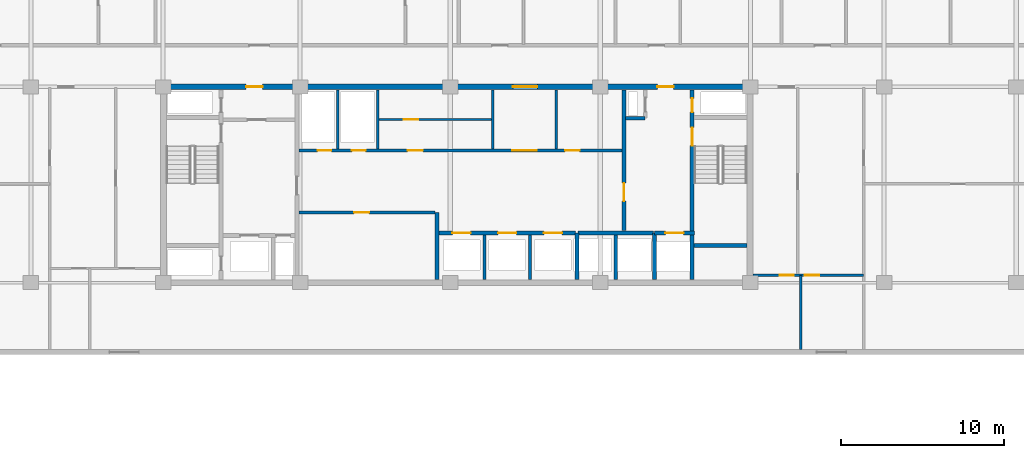
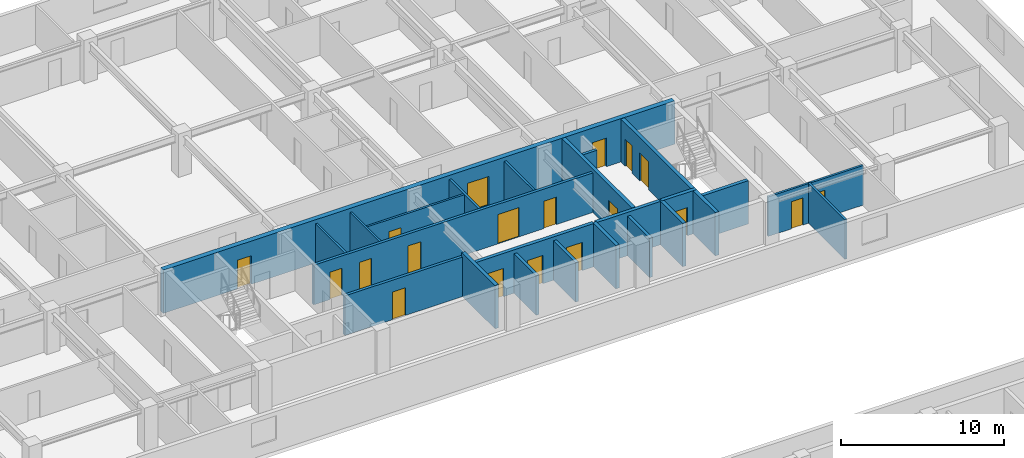
# One storey, part 11 of 21: 23 walls, 19 doors, 19 openings.
"""IFC4 building model written with IfcOpenShell, lengths in metres."""

from ifc_helpers import new_model, si_unit, direction, frame, frame_2d, origin, place, context, subcontext, project, spatial, rectangle, extrude, material, layer, layer_set, type_object, element, fill, save


model = new_model("IFC4")

# Units and contexts
model_context = context("Model", 3, precision=1e-05, world=origin(), true_north=direction((0.0, 1.0)))
body_context = subcontext(model_context, "Body", "Model", "MODEL_VIEW")
ifc_project = project(units=[si_unit("LENGTHUNIT", "METRE"), si_unit("AREAUNIT", "SQUARE_METRE"), si_unit("VOLUMEUNIT", "CUBIC_METRE"), si_unit("PLANEANGLEUNIT", "RADIAN"), si_unit("MASSUNIT", "GRAM", prefix="KILO")], contexts=[model_context])

# Site, building, storey
site_placement = place(None, origin())
site = spatial("IfcSite", under=ifc_project, at=site_placement, CompositionType="ELEMENT")
building_placement = place(site_placement, origin())
building = spatial("IfcBuilding", under=site, at=building_placement, Name="Korimba Cascade Residences", CompositionType="ELEMENT")
storey_placement = place(building_placement, frame((0.0, 0.0, 103.550048828125)))
storey = spatial("IfcBuildingStorey", under=building, at=storey_placement, Name="L29", CompositionType="ELEMENT", Elevation=103.550048828125)

# Wall, openings, doors
ifc_material_1 = material(Name="Concrete C65/80", Category="concrete")
ifc_layer_1 = layer(ifc_material_1, 0.35009765625)
ifc_layer_set_1 = layer_set([ifc_layer_1], Name="Concrete C65/80")
wall_type_1 = type_object("IfcWallType", Name="WAL-CORE-350", PredefinedType="SHEAR", material=ifc_layer_set_1)
wall_1_placement = place(storey_placement, frame((75.949951171875, 67.199951171875, 0.0), z_axis=(0.0, 0.0, 1.0), x_axis=(1.0, 0.0, 0.0)))
wall_1 = element("IfcWall", 1, at=wall_1_placement, inside=storey, type_object=wall_type_1, Name="L29 Core Shear Wall CW-L29-T1-N", PredefinedType="SHEAR", context=body_context, shape_type="SweptSolid", body=[
    extrude(rectangle(XDim=36.300048828125, YDim=0.35009765625, at=frame_2d((18.14990234375, 0.0))), origin(), (0.0, 0.0, 1.0), 3.25),
])
opening_1_placement = place(wall_1_placement, frame((5.25, 0.0, 0.0)))
opening_1 = element("IfcOpeningElement", 2, at=opening_1_placement, cuts=wall_1, Name="Opening D-FD5", PredefinedType="OPENING", context=body_context, shape_type="SweptSolid", body=[
    extrude(rectangle(XDim=1.0, YDim=2.14990234375, at=frame_2d((0.5, 1.074951171875))), frame((0.0, 0.18505859375, 0.0), z_axis=(0.0, -1.0, 0.0), x_axis=(1.0, 0.0, 0.0)), (0.0, 0.0, 1.0), 0.3701171875),
])
opening_2_placement = place(wall_1_placement, frame((21.60009765625, 0.0, 0.0)))
opening_2 = element("IfcOpeningElement", 3, at=opening_2_placement, cuts=wall_1, Name="Opening D-FD8", PredefinedType="OPENING", context=body_context, shape_type="SweptSolid", body=[
    extrude(rectangle(XDim=1.5, YDim=2.199951171875, at=frame_2d((0.75, 1.10009765625))), frame((0.0, 0.18505859375, 0.0), z_axis=(0.0, -1.0, 0.0), x_axis=(1.0, 0.0, 0.0)), (0.0, 0.0, 1.0), 0.3701171875),
])
opening_3_placement = place(wall_1_placement, frame((30.449951171875, 0.0, 0.0)))
opening_3 = element("IfcOpeningElement", 4, at=opening_3_placement, cuts=wall_1, Name="Opening D-FD5", PredefinedType="OPENING", context=body_context, shape_type="SweptSolid", body=[
    extrude(rectangle(XDim=1.0, YDim=2.14990234375, at=frame_2d((0.5, 1.074951171875))), frame((0.0, 0.18505859375, 0.0), z_axis=(0.0, -1.0, 0.0), x_axis=(1.0, 0.0, 0.0)), (0.0, 0.0, 1.0), 0.3701171875),
])
ifc_material_2 = material(Name="Fire-Rated Acoustic Timber Vestibule Door", Category="wood")
door_type_1 = type_object("IfcDoorType", Name="DR-FD90-1000", OperationType="NOTDEFINED", PredefinedType="DOOR", material=ifc_material_2)
door_1_placement = place(opening_1_placement, origin())
door_1 = element("IfcDoor", 5, at=door_1_placement, inside=storey, type_object=door_type_1, Name="L29 T1 West Core Vestibule Fire Door", OperationType="SINGLE_SWING_LEFT", OverallHeight=2.14990234375, OverallWidth=1.0, PredefinedType="DOOR", context=body_context, shape_type="SweptSolid", body=[
    extrude(rectangle(XDim=1.0, YDim=2.14990234375, at=frame_2d((0.5, 1.074951171875))), frame((0.0, 0.02490234375, 0.0), z_axis=(0.0, -1.0, 0.0), x_axis=(1.0, 0.0, 0.0)), (0.0, 0.0, 1.0), 0.050048828125),
])
fill(opening_1, door_1)
door_2_placement = place(opening_3_placement, origin())
door_2 = element("IfcDoor", 6, at=door_2_placement, inside=storey, type_object=door_type_1, Name="L29 T1 East Firefighting Vestibule Fire Door", OperationType="SINGLE_SWING_RIGHT", OverallHeight=2.14990234375, OverallWidth=1.0, PredefinedType="DOOR", context=body_context, shape_type="SweptSolid", body=[
    extrude(rectangle(XDim=1.0, YDim=2.14990234375, at=frame_2d((0.5, 1.074951171875))), frame((0.0, 0.02490234375, 0.0), z_axis=(0.0, -1.0, 0.0), x_axis=(1.0, 0.0, 0.0)), (0.0, 0.0, 1.0), 0.050048828125),
])
fill(opening_3, door_2)
ifc_material_3 = material(Name="Fire-Rated Glazed Lift Lobby Double Door", Category="glass")
door_type_2 = type_object("IfcDoorType", Name="DR-FD90-1500", OperationType="NOTDEFINED", PredefinedType="DOOR", material=ifc_material_3)
door_3_placement = place(opening_2_placement, origin())
door_3 = element("IfcDoor", 7, at=door_3_placement, inside=storey, type_object=door_type_2, Name="L29 T1 Lift Lobby Fire Door", OperationType="DOUBLE_DOOR_SINGLE_SWING", OverallHeight=2.199951171875, OverallWidth=1.5, PredefinedType="DOOR", context=body_context, shape_type="SweptSolid", body=[
    extrude(rectangle(XDim=1.5, YDim=2.199951171875, at=frame_2d((0.75, 1.10009765625))), frame((0.0, 0.02490234375, 0.0), z_axis=(0.0, -1.0, 0.0), x_axis=(1.0, 0.0, 0.0)), (0.0, 0.0, 1.0), 0.050048828125),
])
fill(opening_2, door_3)

# Walls
ifc_material_4 = material(Name="Insulated Acoustic Stud Partition", Category="gypsum")
ifc_layer_2 = layer(ifc_material_4, 0.14990234375)
ifc_layer_set_2 = layer_set([ifc_layer_2], Name="Insulated Acoustic Stud Partition")
wall_type_2 = type_object("IfcWallType", Name="WAL-PART-150", PredefinedType="PARTITIONING", material=ifc_layer_set_2)
for number, where, z_axis, x_axis, name in (
    (8, (86.800048828125, 63.39990234375, 0.0), (0.0, 0.0, 1.0), (0.0, 1.0, 0.0), "L29 Partition Wall CW-L29-T1-ERDIV"),
    (9, (89.25, 63.39990234375, 0.0), (0.0, 0.0, 1.0), (0.0, 1.0, 0.0), "L29 Partition Wall CW-L29-T1-PRDIV"),
):
    element("IfcWall", number, at=place(storey_placement, frame(where, z_axis=z_axis, x_axis=x_axis)), inside=storey, type_object=wall_type_2, Name=name, PredefinedType="PARTITIONING", context=body_context, shape_type="SweptSolid", body=[
        extrude(rectangle(XDim=3.60009765625, YDim=0.14990234375, at=frame_2d((1.800048828125, 0.0))), origin(), (0.0, 0.0, 1.0), 2.969970703125),
    ])

# Wall, opening, door
wall_2_placement = place(storey_placement, frame((89.25, 65.199951171875, 0.0), z_axis=(0.0, 0.0, 1.0), x_axis=(1.0, 0.0, 0.0)))
wall_2 = element("IfcWall", 10, at=wall_2_placement, inside=storey, type_object=wall_type_2, Name="L29 Partition Wall CW-L29-T1-CA2HZ", PredefinedType="PARTITIONING", context=body_context, shape_type="SweptSolid", body=[
    extrude(rectangle(XDim=7.050048828125, YDim=0.14990234375, at=frame_2d((3.52490234375, 0.0))), origin(), (0.0, 0.0, 1.0), 2.969970703125),
])
opening_4_placement = place(wall_2_placement, frame((1.60009765625, 0.0, 0.0)))
opening_4 = element("IfcOpeningElement", 11, at=opening_4_placement, cuts=wall_2, Name="Opening D-IN2", PredefinedType="OPENING", context=body_context, shape_type="SweptSolid", body=[
    extrude(rectangle(XDim=0.8798828125, YDim=2.06005859375, at=frame_2d((0.43994140625, 1.030029296875))), frame((0.0, 0.0849609375, 0.0), z_axis=(0.0, -1.0, 0.0), x_axis=(1.0, 0.0, 0.0)), (0.0, 0.0, 1.0), 0.169921875),
])
ifc_material_5 = material(Name="Acoustic Timber Bedroom Door", Category="wood")
door_type_3 = type_object("IfcDoorType", Name="DR-INT-880", OperationType="NOTDEFINED", PredefinedType="DOOR", material=ifc_material_5)
door_4_placement = place(opening_4_placement, origin())
door_4 = element("IfcDoor", 12, at=door_4_placement, inside=storey, type_object=door_type_3, Name="L29 Pram Store Door", OperationType="SINGLE_SWING_RIGHT", OverallHeight=2.06005859375, OverallWidth=0.8798828125, PredefinedType="DOOR", context=body_context, shape_type="SweptSolid", body=[
    extrude(rectangle(XDim=0.8798828125, YDim=2.06005859375, at=frame_2d((0.43994140625, 1.030029296875))), frame((0.0, 0.02490234375, 0.0), z_axis=(0.0, -1.0, 0.0), x_axis=(1.0, 0.0, 0.0)), (0.0, 0.0, 1.0), 0.050048828125),
])
fill(opening_4, door_4)

# Walls
for number, where, z_axis, x_axis, name in (
    (13, (96.300048828125, 63.39990234375, 0.0), (0.0, 0.0, 1.0), (0.0, 1.0, 0.0), "L29 Partition Wall CW-L29-T1-THW"),
    (14, (100.199951171875, 63.39990234375, 0.0), (0.0, 0.0, 1.0), (0.0, 1.0, 0.0), "L29 Partition Wall CW-L29-T1-THE"),
):
    element("IfcWall", number, at=place(storey_placement, frame(where, z_axis=z_axis, x_axis=x_axis)), inside=storey, type_object=wall_type_2, Name=name, PredefinedType="PARTITIONING", context=body_context, shape_type="SweptSolid", body=[
        extrude(rectangle(XDim=3.60009765625, YDim=0.14990234375, at=frame_2d((1.800048828125, 0.0))), origin(), (0.0, 0.0, 1.0), 2.969970703125),
    ])
wall_3_placement = place(storey_placement, frame((115.199951171875, 51.10009765625, 0.0), z_axis=(0.0, 0.0, 1.0), x_axis=(0.0, 1.0, 0.0)))
element("IfcWall", 15, at=wall_3_placement, inside=storey, type_object=wall_type_2, Name="L29 Partition Wall WAL-L29-T1-FE-VS", PredefinedType="PARTITIONING", context=body_context, shape_type="SweptSolid", body=[
    extrude(rectangle(XDim=4.5498046875, YDim=0.14990234375, at=frame_2d((2.27490234375, 0.0))), origin(), (0.0, 0.0, 1.0), 2.969970703125),
])

# Wall, openings, doors
wall_4_placement = place(storey_placement, frame((112.27001953125, 55.64990234375, 0.0), z_axis=(0.0, 0.0, 1.0), x_axis=(1.0, 0.0, 0.0)))
wall_4 = element("IfcWall", 16, at=wall_4_placement, inside=storey, type_object=wall_type_2, Name="L29 Partition Wall WAL-L29-T1-FE-H", PredefinedType="PARTITIONING", context=body_context, shape_type="SweptSolid", body=[
    extrude(rectangle(XDim=6.760009765625, YDim=0.14990234375, at=frame_2d((3.3798828125, 0.0))), origin(), (0.0, 0.0, 1.0), 2.969970703125),
])
opening_5_placement = place(wall_4_placement, frame((1.6396484375, 0.0, 0.0)))
opening_5 = element("IfcOpeningElement", 17, at=opening_5_placement, cuts=wall_4, Name="Opening D-BT1", PredefinedType="OPENING", context=body_context, shape_type="SweptSolid", body=[
    extrude(rectangle(XDim=0.840087890625, YDim=2.0400390625, at=frame_2d((0.419921875, 1.02001953125))), frame((0.0, 0.0849609375, 0.0), z_axis=(0.0, -1.0, 0.0), x_axis=(1.0, 0.0, 0.0)), (0.0, 0.0, 1.0), 0.169921875),
])
opening_6_placement = place(wall_4_placement, frame((3.160400390625, 0.0, 0.0)))
opening_6 = element("IfcOpeningElement", 18, at=opening_6_placement, cuts=wall_4, Name="Opening D-IN2", PredefinedType="OPENING", context=body_context, shape_type="SweptSolid", body=[
    extrude(rectangle(XDim=0.8798828125, YDim=2.06005859375, at=frame_2d((0.43994140625, 1.030029296875))), frame((0.0, 0.0849609375, 0.0), z_axis=(0.0, -1.0, 0.0), x_axis=(1.0, 0.0, 0.0)), (0.0, 0.0, 1.0), 0.169921875),
])
ifc_material_6 = material(Name="Moisture-Resistant Bathroom Timber Door", Category="wood")
door_type_4 = type_object("IfcDoorType", Name="DR-INT-850", OperationType="NOTDEFINED", PredefinedType="DOOR", material=ifc_material_6)
door_5_placement = place(opening_5_placement, origin())
door_5 = element("IfcDoor", 19, at=door_5_placement, inside=storey, type_object=door_type_4, Name="L29-T1-FE Bathroom Door", OperationType="SINGLE_SWING_RIGHT", OverallHeight=2.0400390625, OverallWidth=0.840087890625, PredefinedType="DOOR", context=body_context, shape_type="SweptSolid", body=[
    extrude(rectangle(XDim=0.840087890625, YDim=2.0400390625, at=frame_2d((0.419921875, 1.02001953125))), frame((0.0, 0.02490234375, 0.0), z_axis=(0.0, -1.0, 0.0), x_axis=(1.0, 0.0, 0.0)), (0.0, 0.0, 1.0), 0.050048828125),
])
fill(opening_5, door_5)
door_6_placement = place(opening_6_placement, origin())
door_6 = element("IfcDoor", 20, at=door_6_placement, inside=storey, type_object=door_type_3, Name="L29-T1-FE Bedroom Door", OperationType="SINGLE_SWING_LEFT", OverallHeight=2.06005859375, OverallWidth=0.8798828125, PredefinedType="DOOR", context=body_context, shape_type="SweptSolid", body=[
    extrude(rectangle(XDim=0.8798828125, YDim=2.06005859375, at=frame_2d((0.43994140625, 1.030029296875))), frame((0.0, 0.02490234375, 0.0), z_axis=(0.0, -1.0, 0.0), x_axis=(1.0, 0.0, 0.0)), (0.0, 0.0, 1.0), 0.050048828125),
])
fill(opening_6, door_6)

# Wall, opening, door
ifc_material_7 = material(Name="Concrete C40/50", Category="concrete")
ifc_layer_3 = layer(ifc_material_7, 0.199951171875)
ifc_layer_set_3 = layer_set([ifc_layer_3], Name="Concrete C40/50")
wall_type_3 = type_object("IfcWallType", Name="WAL-PART-200", PredefinedType="PARTITIONING", material=ifc_layer_set_3)
wall_5_placement = place(storey_placement, frame((84.419921875, 59.5, 0.0), z_axis=(0.0, 0.0, 1.0), x_axis=(1.0, 0.0, 0.0)))
wall_5 = element("IfcWall", 21, at=wall_5_placement, inside=storey, type_object=wall_type_3, Name="L29 Partition Wall CW-L29-T1-B1RN", PredefinedType="PARTITIONING", context=body_context, shape_type="SweptSolid", body=[
    extrude(rectangle(XDim=8.360107421875, YDim=0.199951171875, at=frame_2d((4.18017578125, 0.0))), origin(), (0.0, 0.0, 1.0), 2.969970703125),
])
opening_7_placement = place(wall_5_placement, frame((3.39990234375, 0.0, 0.0)))
opening_7 = element("IfcOpeningElement", 22, at=opening_7_placement, cuts=wall_5, Name="Opening D-ST1", PredefinedType="OPENING", context=body_context, shape_type="SweptSolid", body=[
    extrude(rectangle(XDim=0.919921875, YDim=2.080078125, at=frame_2d((0.4599609375, 1.0400390625))), frame((0.0, 0.10986328125, 0.0), z_axis=(0.0, -1.0, 0.0), x_axis=(1.0, 0.0, 0.0)), (0.0, 0.0, 1.0), 0.219970703125),
])
ifc_material_8 = material(Name="Fire-Rated Core Store Door", Category="wood")
door_type_5 = type_object("IfcDoorType", Name="DR-FD60-920", OperationType="NOTDEFINED", PredefinedType="DOOR", material=ifc_material_8)
door_7_placement = place(opening_7_placement, origin())
door_7 = element("IfcDoor", 23, at=door_7_placement, inside=storey, type_object=door_type_5, Name="L29 Resident Storage Door", OperationType="SINGLE_SWING_LEFT", OverallHeight=2.080078125, OverallWidth=0.919921875, PredefinedType="DOOR", context=body_context, shape_type="SweptSolid", body=[
    extrude(rectangle(XDim=0.919921875, YDim=2.080078125, at=frame_2d((0.4599609375, 1.0400390625))), frame((0.0, 0.02490234375, 0.0), z_axis=(0.0, -1.0, 0.0), x_axis=(1.0, 0.0, 0.0)), (0.0, 0.0, 1.0), 0.050048828125),
])
fill(opening_7, door_7)

# Walls
for number, where, z_axis, x_axis, name in (
    (24, (95.800048828125, 55.39990234375, 0.0), (0.0, 0.0, 1.0), (0.0, 1.0, 0.0), "L29 Partition Wall CW-L29-T1-B2D1"),
    (25, (98.60009765625, 55.39990234375, 0.0), (0.0, 0.0, 1.0), (0.0, 1.0, 0.0), "L29 Partition Wall CW-L29-T1-B2D2"),
    (26, (103.85009765625, 55.39990234375, 0.0), (0.0, 0.0, 1.0), (0.0, 1.0, 0.0), "L29 Partition Wall CW-L29-T1-B3D1"),
):
    element("IfcWall", number, at=place(storey_placement, frame(where, z_axis=z_axis, x_axis=x_axis)), inside=storey, type_object=wall_type_3, Name=name, PredefinedType="PARTITIONING", context=body_context, shape_type="SweptSolid", body=[
        extrude(rectangle(XDim=2.72021484375, YDim=0.199951171875, at=frame_2d((1.360107421875, 0.0))), origin(), (0.0, 0.0, 1.0), 2.969970703125),
    ])

# Wall, openings, doors
wall_6_placement = place(storey_placement, frame((84.419921875, 63.300048828125, 0.0), z_axis=(0.0, 0.0, 1.0), x_axis=(1.0, 0.0, 0.0)))
wall_6 = element("IfcWall", 27, at=wall_6_placement, inside=storey, type_object=wall_type_3, Name="L29 Partition Wall CW-L29-T1-SRVROW", PredefinedType="PARTITIONING", context=body_context, shape_type="SweptSolid", body=[
    extrude(rectangle(XDim=19.830078125, YDim=0.199951171875, at=frame_2d((9.9150390625, 0.0))), origin(), (0.0, 0.0, 1.0), 2.969970703125),
])
opening_8_placement = place(wall_6_placement, frame((1.14990234375, 0.0, 0.0)))
opening_8 = element("IfcOpeningElement", 28, at=opening_8_placement, cuts=wall_6, Name="Opening D-RS1", PredefinedType="OPENING", context=body_context, shape_type="SweptSolid", body=[
    extrude(rectangle(XDim=0.85009765625, YDim=2.050048828125, at=frame_2d((0.425048828125, 1.02490234375))), frame((0.0, 0.10986328125, 0.0), z_axis=(0.0, -1.0, 0.0), x_axis=(1.0, 0.0, 0.0)), (0.0, 0.0, 1.0), 0.219970703125),
])
opening_9_placement = place(wall_6_placement, frame((3.25, 0.0, 0.0)))
opening_9 = element("IfcOpeningElement", 29, at=opening_9_placement, cuts=wall_6, Name="Opening D-RS1", PredefinedType="OPENING", context=body_context, shape_type="SweptSolid", body=[
    extrude(rectangle(XDim=0.85009765625, YDim=2.050048828125, at=frame_2d((0.425048828125, 1.02490234375))), frame((0.0, 0.10986328125, 0.0), z_axis=(0.0, -1.0, 0.0), x_axis=(1.0, 0.0, 0.0)), (0.0, 0.0, 1.0), 0.219970703125),
])
opening_10_placement = place(wall_6_placement, frame((13.080078125, 0.0, 0.0)))
opening_10 = element("IfcOpeningElement", 30, at=opening_10_placement, cuts=wall_6, Name="Opening D-FD8", PredefinedType="OPENING", context=body_context, shape_type="SweptSolid", body=[
    extrude(rectangle(XDim=1.5, YDim=2.199951171875, at=frame_2d((0.75, 1.10009765625))), frame((0.0, 0.10986328125, 0.0), z_axis=(0.0, -1.0, 0.0), x_axis=(1.0, 0.0, 0.0)), (0.0, 0.0, 1.0), 0.219970703125),
])
opening_11_placement = place(wall_6_placement, frame((6.679931640625, 0.0, 0.0)))
opening_11 = element("IfcOpeningElement", 31, at=opening_11_placement, cuts=wall_6, Name="Opening D-IN1", PredefinedType="OPENING", context=body_context, shape_type="SweptSolid", body=[
    extrude(rectangle(XDim=0.919921875, YDim=2.080078125, at=frame_2d((0.4599609375, 1.0400390625))), frame((0.0, 0.10986328125, 0.0), z_axis=(0.0, -1.0, 0.0), x_axis=(1.0, 0.0, 0.0)), (0.0, 0.0, 1.0), 0.219970703125),
])
opening_12_placement = place(wall_6_placement, frame((16.330078125, 0.0, 0.0)))
opening_12 = element("IfcOpeningElement", 32, at=opening_12_placement, cuts=wall_6, Name="Opening D-IN2", PredefinedType="OPENING", context=body_context, shape_type="SweptSolid", body=[
    extrude(rectangle(XDim=0.8798828125, YDim=2.06005859375, at=frame_2d((0.43994140625, 1.030029296875))), frame((0.0, 0.10986328125, 0.0), z_axis=(0.0, -1.0, 0.0), x_axis=(1.0, 0.0, 0.0)), (0.0, 0.0, 1.0), 0.219970703125),
])
ifc_material_9 = material(Name="Fire-Rated Steel Riser Access Door", Category="steel")
door_type_6 = type_object("IfcDoorType", Name="DR-FD60-850", OperationType="NOTDEFINED", PredefinedType="DOOR", material=ifc_material_9)
door_8_placement = place(opening_8_placement, origin())
door_8 = element("IfcDoor", 33, at=door_8_placement, inside=storey, type_object=door_type_6, Name="L29 Electrical Riser Door", OperationType="SINGLE_SWING_LEFT", OverallHeight=2.050048828125, OverallWidth=0.85009765625, PredefinedType="DOOR", context=body_context, shape_type="SweptSolid", body=[
    extrude(rectangle(XDim=0.85009765625, YDim=2.050048828125, at=frame_2d((0.425048828125, 1.02490234375))), frame((0.0, 0.02490234375, 0.0), z_axis=(0.0, -1.0, 0.0), x_axis=(1.0, 0.0, 0.0)), (0.0, 0.0, 1.0), 0.050048828125),
])
fill(opening_8, door_8)
door_9_placement = place(opening_9_placement, origin())
door_9 = element("IfcDoor", 34, at=door_9_placement, inside=storey, type_object=door_type_6, Name="L29 Plumbing Riser Door", OperationType="SINGLE_SWING_RIGHT", OverallHeight=2.050048828125, OverallWidth=0.85009765625, PredefinedType="DOOR", context=body_context, shape_type="SweptSolid", body=[
    extrude(rectangle(XDim=0.85009765625, YDim=2.050048828125, at=frame_2d((0.425048828125, 1.02490234375))), frame((0.0, 0.02490234375, 0.0), z_axis=(0.0, -1.0, 0.0), x_axis=(1.0, 0.0, 0.0)), (0.0, 0.0, 1.0), 0.050048828125),
])
fill(opening_9, door_9)
door_10_placement = place(opening_10_placement, origin())
door_10 = element("IfcDoor", 35, at=door_10_placement, inside=storey, type_object=door_type_2, Name="L29 Lift Lobby Foyer Archway Door", OperationType="DOUBLE_DOOR_SINGLE_SWING", OverallHeight=2.199951171875, OverallWidth=1.5, PredefinedType="DOOR", context=body_context, shape_type="SweptSolid", body=[
    extrude(rectangle(XDim=1.5, YDim=2.199951171875, at=frame_2d((0.75, 1.10009765625))), frame((0.0, 0.02490234375, 0.0), z_axis=(0.0, -1.0, 0.0), x_axis=(1.0, 0.0, 0.0)), (0.0, 0.0, 1.0), 0.050048828125),
])
fill(opening_10, door_10)
door_11_placement = place(opening_12_placement, origin())
door_11 = element("IfcDoor", 36, at=door_11_placement, inside=storey, type_object=door_type_3, Name="L29 Staff WC Door", OperationType="SINGLE_SWING_RIGHT", OverallHeight=2.06005859375, OverallWidth=0.8798828125, PredefinedType="DOOR", context=body_context, shape_type="SweptSolid", body=[
    extrude(rectangle(XDim=0.8798828125, YDim=2.06005859375, at=frame_2d((0.43994140625, 1.030029296875))), frame((0.0, 0.02490234375, 0.0), z_axis=(0.0, -1.0, 0.0), x_axis=(1.0, 0.0, 0.0)), (0.0, 0.0, 1.0), 0.050048828125),
])
fill(opening_12, door_11)
ifc_material_10 = material(Name="Acoustic Timber Living Door", Category="wood")
door_type_7 = type_object("IfcDoorType", Name="DR-INT-920", OperationType="NOTDEFINED", PredefinedType="DOOR", material=ifc_material_10)
door_12_placement = place(opening_11_placement, origin())
door_12 = element("IfcDoor", 37, at=door_12_placement, inside=storey, type_object=door_type_7, Name="L29 Locker Room Door", OperationType="SINGLE_SWING_LEFT", OverallHeight=2.080078125, OverallWidth=0.919921875, PredefinedType="DOOR", context=body_context, shape_type="SweptSolid", body=[
    extrude(rectangle(XDim=0.919921875, YDim=2.080078125, at=frame_2d((0.4599609375, 1.0400390625))), frame((0.0, 0.02490234375, 0.0), z_axis=(0.0, -1.0, 0.0), x_axis=(1.0, 0.0, 0.0)), (0.0, 0.0, 1.0), 0.050048828125),
])
fill(opening_11, door_12)

# Walls
wall_7_placement = place(storey_placement, frame((104.449951171875, 65.280029296875, 0.0), z_axis=(0.0, 0.0, 1.0), x_axis=(1.0, 0.0, 0.0)))
element("IfcWall", 38, at=wall_7_placement, inside=storey, type_object=wall_type_3, Name="L29 Partition Wall CW-L29-T1-HYDW2S", PredefinedType="PARTITIONING", context=body_context, shape_type="SweptSolid", body=[
    extrude(rectangle(XDim=1.199951171875, YDim=0.199951171875, at=frame_2d((0.60009765625, 0.0))), origin(), (0.0, 0.0, 1.0), 2.969970703125),
])
ifc_material_11 = material(Name="Concrete C50/60", Category="concrete")
ifc_layer_4 = layer(ifc_material_11, 0.25)
ifc_layer_set_4 = layer_set([ifc_layer_4], Name="Concrete C50/60")
wall_type_4 = type_object("IfcWallType", Name="WAL-SHAFT-250", PredefinedType="SHEAR", material=ifc_layer_set_4)
wall_8_placement = place(storey_placement, frame((92.89990234375, 55.39990234375, 0.0), z_axis=(0.0, 0.0, 1.0), x_axis=(0.0, 1.0, 0.0)))
element("IfcWall", 39, at=wall_8_placement, inside=storey, type_object=wall_type_4, Name="L29 Core Shear Wall CW-L29-T1-B12DIV", PredefinedType="SHEAR", context=body_context, shape_type="SweptSolid", body=[
    extrude(rectangle(XDim=4.10009765625, YDim=0.25, at=frame_2d((2.050048828125, 0.0))), origin(), (0.0, 0.0, 1.0), 3.25),
])

# Wall, openings, doors
wall_9_placement = place(storey_placement, frame((93.02001953125, 58.25, 0.0), z_axis=(0.0, 0.0, 1.0), x_axis=(1.0, 0.0, 0.0)))
wall_9 = element("IfcWall", 40, at=wall_9_placement, inside=storey, type_object=wall_type_4, Name="L29 Core Shear Wall CW-L29-T1-B2N", PredefinedType="SHEAR", context=body_context, shape_type="SweptSolid", body=[
    extrude(rectangle(XDim=8.35986328125, YDim=0.25, at=frame_2d((4.179931640625, 0.0))), origin(), (0.0, 0.0, 1.0), 3.25),
])
opening_13_placement = place(wall_9_placement, frame((0.820068359375, 0.0, 0.0)))
opening_13 = element("IfcOpeningElement", 41, at=opening_13_placement, cuts=wall_9, Name="Opening LD-01", PredefinedType="OPENING", context=body_context, shape_type="SweptSolid", body=[
    extrude(rectangle(XDim=1.1201171875, YDim=2.1201171875, at=frame_2d((0.56005859375, 1.06005859375))), frame((0.0, 0.135009765625, 0.0), z_axis=(0.0, -1.0, 0.0), x_axis=(1.0, 0.0, 0.0)), (0.0, 0.0, 1.0), 0.27001953125),
])
opening_14_placement = place(wall_9_placement, frame((3.6201171875, 0.0, 0.0)))
opening_14 = element("IfcOpeningElement", 42, at=opening_14_placement, cuts=wall_9, Name="Opening LD-01", PredefinedType="OPENING", context=body_context, shape_type="SweptSolid", body=[
    extrude(rectangle(XDim=1.1201171875, YDim=2.1201171875, at=frame_2d((0.56005859375, 1.06005859375))), frame((0.0, 0.135009765625, 0.0), z_axis=(0.0, -1.0, 0.0), x_axis=(1.0, 0.0, 0.0)), (0.0, 0.0, 1.0), 0.27001953125),
])
opening_15_placement = place(wall_9_placement, frame((6.419921875, 0.0, 0.0)))
opening_15 = element("IfcOpeningElement", 43, at=opening_15_placement, cuts=wall_9, Name="Opening LD-01", PredefinedType="OPENING", context=body_context, shape_type="SweptSolid", body=[
    extrude(rectangle(XDim=1.1201171875, YDim=2.1201171875, at=frame_2d((0.56005859375, 1.06005859375))), frame((0.0, 0.135009765625, 0.0), z_axis=(0.0, -1.0, 0.0), x_axis=(1.0, 0.0, 0.0)), (0.0, 0.0, 1.0), 0.27001953125),
])
ifc_material_12 = material(Name="Stainless Steel Lift Landing Sliding Door", Category="steel")
door_type_8 = type_object("IfcDoorType", Name="DR-LIFT-1100", OperationType="NOTDEFINED", PredefinedType="DOOR", material=ifc_material_12)
door_13_placement = place(opening_13_placement, origin())
door_13 = element("IfcDoor", 44, at=door_13_placement, inside=storey, type_object=door_type_8, Name="L29 Lift Landing Door PL-W4", OperationType="SLIDING_TO_RIGHT", OverallHeight=2.1201171875, OverallWidth=1.1201171875, PredefinedType="DOOR", context=body_context, shape_type="SweptSolid", body=[
    extrude(rectangle(XDim=1.1201171875, YDim=2.1201171875, at=frame_2d((0.56005859375, 1.06005859375))), frame((0.0, 0.02490234375, 0.0), z_axis=(0.0, -1.0, 0.0), x_axis=(1.0, 0.0, 0.0)), (0.0, 0.0, 1.0), 0.050048828125),
])
fill(opening_13, door_13)
door_14_placement = place(opening_14_placement, origin())
door_14 = element("IfcDoor", 45, at=door_14_placement, inside=storey, type_object=door_type_8, Name="L29 Lift Landing Door PL-W5", OperationType="SLIDING_TO_RIGHT", OverallHeight=2.1201171875, OverallWidth=1.1201171875, PredefinedType="DOOR", context=body_context, shape_type="SweptSolid", body=[
    extrude(rectangle(XDim=1.1201171875, YDim=2.1201171875, at=frame_2d((0.56005859375, 1.06005859375))), frame((0.0, 0.02490234375, 0.0), z_axis=(0.0, -1.0, 0.0), x_axis=(1.0, 0.0, 0.0)), (0.0, 0.0, 1.0), 0.050048828125),
])
fill(opening_14, door_14)
door_15_placement = place(opening_15_placement, origin())
door_15 = element("IfcDoor", 46, at=door_15_placement, inside=storey, type_object=door_type_8, Name="L29 Lift Landing Door PL-W6", OperationType="SLIDING_TO_RIGHT", OverallHeight=2.1201171875, OverallWidth=1.1201171875, PredefinedType="DOOR", context=body_context, shape_type="SweptSolid", body=[
    extrude(rectangle(XDim=1.1201171875, YDim=2.1201171875, at=frame_2d((0.56005859375, 1.06005859375))), frame((0.0, 0.02490234375, 0.0), z_axis=(0.0, -1.0, 0.0), x_axis=(1.0, 0.0, 0.0)), (0.0, 0.0, 1.0), 0.050048828125),
])
fill(opening_15, door_15)

# Walls
wall_10_placement = place(storey_placement, frame((101.47998046875, 55.39990234375, 0.0), z_axis=(0.0, 0.0, 1.0), x_axis=(0.0, 1.0, 0.0)))
element("IfcWall", 47, at=wall_10_placement, inside=storey, type_object=wall_type_4, Name="L29 Core Shear Wall CW-L29-T1-B23DIV", PredefinedType="SHEAR", context=body_context, shape_type="SweptSolid", body=[
    extrude(rectangle(XDim=2.85009765625, YDim=0.25, at=frame_2d((1.425048828125, 0.0))), origin(), (0.0, 0.0, 1.0), 3.25),
])
wall_11_placement = place(storey_placement, frame((101.550048828125, 58.25, 0.0), z_axis=(0.0, 0.0, 1.0), x_axis=(1.0, 0.0, 0.0)))
element("IfcWall", 48, at=wall_11_placement, inside=storey, type_object=wall_type_4, Name="L29 Core Shear Wall CW-L29-T1-B3N", PredefinedType="SHEAR", context=body_context, shape_type="SweptSolid", body=[
    extrude(rectangle(XDim=4.599853515625, YDim=0.25, at=frame_2d((2.2998046875, 0.0))), origin(), (0.0, 0.0, 1.0), 3.25),
])
wall_12_placement = place(storey_placement, frame((106.219970703125, 55.39990234375, 0.0), z_axis=(0.0, 0.0, 1.0), x_axis=(0.0, 1.0, 0.0)))
element("IfcWall", 49, at=wall_12_placement, inside=storey, type_object=wall_type_4, Name="L29 Core Shear Wall CW-L29-T1-FF2W", PredefinedType="SHEAR", context=body_context, shape_type="SweptSolid", body=[
    extrude(rectangle(XDim=2.85009765625, YDim=0.25, at=frame_2d((1.425048828125, 0.0))), origin(), (0.0, 0.0, 1.0), 3.25),
])

# Wall, opening, door
wall_13_placement = place(storey_placement, frame((106.219970703125, 58.25, 0.0), z_axis=(0.0, 0.0, 1.0), x_axis=(1.0, 0.0, 0.0)))
wall_13 = element("IfcWall", 50, at=wall_13_placement, inside=storey, type_object=wall_type_4, Name="L29 Core Shear Wall CW-L29-T1-FF2N", PredefinedType="SHEAR", context=body_context, shape_type="SweptSolid", body=[
    extrude(rectangle(XDim=2.4599609375, YDim=0.25, at=frame_2d((1.22998046875, 0.0))), origin(), (0.0, 0.0, 1.0), 3.25),
])
opening_16_placement = place(wall_13_placement, frame((0.669921875, 0.0, 0.0)))
opening_16 = element("IfcOpeningElement", 51, at=opening_16_placement, cuts=wall_13, Name="Opening LD-01", PredefinedType="OPENING", context=body_context, shape_type="SweptSolid", body=[
    extrude(rectangle(XDim=1.1201171875, YDim=2.1201171875, at=frame_2d((0.56005859375, 1.06005859375))), frame((0.0, 0.135009765625, 0.0), z_axis=(0.0, -1.0, 0.0), x_axis=(1.0, 0.0, 0.0)), (0.0, 0.0, 1.0), 0.27001953125),
])
door_16_placement = place(opening_16_placement, origin())
door_16 = element("IfcDoor", 52, at=door_16_placement, inside=storey, type_object=door_type_8, Name="L29 Firefighting Lift Landing Door FFL-W2", OperationType="SLIDING_TO_RIGHT", OverallHeight=2.1201171875, OverallWidth=1.1201171875, PredefinedType="DOOR", context=body_context, shape_type="SweptSolid", body=[
    extrude(rectangle(XDim=1.1201171875, YDim=2.1201171875, at=frame_2d((0.56005859375, 1.06005859375))), frame((0.0, 0.02490234375, 0.0), z_axis=(0.0, -1.0, 0.0), x_axis=(1.0, 0.0, 0.0)), (0.0, 0.0, 1.0), 0.050048828125),
])
fill(opening_16, door_16)

wall_14_placement = place(storey_placement, frame((104.35009765625, 58.39990234375, 0.0), z_axis=(0.0, 0.0, 1.0), x_axis=(0.0, 1.0, 0.0)))
wall_14 = element("IfcWall", 53, at=wall_14_placement, inside=storey, type_object=wall_type_4, Name="L29 Core Shear Wall CW-L29-T1-LLEV", PredefinedType="SHEAR", context=body_context, shape_type="SweptSolid", body=[
    extrude(rectangle(XDim=8.60009765625, YDim=0.25, at=frame_2d((4.300048828125, 0.0))), origin(), (0.0, 0.0, 1.0), 3.25),
])
opening_17_placement = place(wall_14_placement, frame((1.800048828125, 0.0, 0.0)))
opening_17 = element("IfcOpeningElement", 54, at=opening_17_placement, cuts=wall_14, Name="Opening D-FD1", PredefinedType="OPENING", context=body_context, shape_type="SweptSolid", body=[
    extrude(rectangle(XDim=1.10009765625, YDim=2.10009765625, at=frame_2d((0.550048828125, 1.050048828125))), frame((0.0, 0.135009765625, 0.0), z_axis=(0.0, -1.0, 0.0), x_axis=(1.0, 0.0, 0.0)), (0.0, 0.0, 1.0), 0.27001953125),
])
ifc_material_13 = material(Name="Fire-Rated Steel Core Door", Category="steel")
door_type_9 = type_object("IfcDoorType", Name="DR-FD120-1100", OperationType="NOTDEFINED", PredefinedType="DOOR", material=ifc_material_13)
door_17_placement = place(opening_17_placement, origin())
door_17 = element("IfcDoor", 55, at=door_17_placement, inside=storey, type_object=door_type_9, Name="L29 Lift Lobby to East Firefighting Lobby Door", OperationType="SINGLE_SWING_RIGHT", OverallHeight=2.10009765625, OverallWidth=1.10009765625, PredefinedType="DOOR", context=body_context, shape_type="SweptSolid", body=[
    extrude(rectangle(XDim=1.10009765625, YDim=2.10009765625, at=frame_2d((0.550048828125, 1.050048828125))), frame((0.0, 0.02490234375, 0.0), z_axis=(0.0, -1.0, 0.0), x_axis=(1.0, 0.0, 0.0)), (0.0, 0.0, 1.0), 0.050048828125),
])
fill(opening_17, door_17)

# Wall, openings, doors
wall_15_placement = place(storey_placement, frame((108.534912109375, 55.39990234375, 0.0), z_axis=(0.0, 0.0, 1.0), x_axis=(0.0, 1.0, 0.0)))
wall_15 = element("IfcWall", 56, at=wall_15_placement, inside=storey, type_object=wall_type_4, Name="L29 Core Shear Wall CW-L29-T1-STW2W", PredefinedType="SHEAR", context=body_context, shape_type="SweptSolid", body=[
    extrude(rectangle(XDim=11.60009765625, YDim=0.25, at=frame_2d((5.800048828125, 0.0))), origin(), (0.0, 0.0, 1.0), 3.25),
])
opening_18_placement = place(wall_15_placement, frame((8.199951171875, 0.0, 0.0)))
opening_18 = element("IfcOpeningElement", 57, at=opening_18_placement, cuts=wall_15, Name="Opening D-FD1", PredefinedType="OPENING", context=body_context, shape_type="SweptSolid", body=[
    extrude(rectangle(XDim=1.10009765625, YDim=2.10009765625, at=frame_2d((0.550048828125, 1.050048828125))), frame((0.0, 0.135009765625, 0.0), z_axis=(0.0, -1.0, 0.0), x_axis=(1.0, 0.0, 0.0)), (0.0, 0.0, 1.0), 0.27001953125),
])
opening_19_placement = place(wall_15_placement, frame((10.25, 0.0, 0.0)))
opening_19 = element("IfcOpeningElement", 58, at=opening_19_placement, cuts=wall_15, Name="Opening D-RS1", PredefinedType="OPENING", context=body_context, shape_type="SweptSolid", body=[
    extrude(rectangle(XDim=0.85009765625, YDim=2.050048828125, at=frame_2d((0.425048828125, 1.02490234375))), frame((0.0, 0.135009765625, 0.0), z_axis=(0.0, -1.0, 0.0), x_axis=(1.0, 0.0, 0.0)), (0.0, 0.0, 1.0), 0.27001953125),
])
door_18_placement = place(opening_18_placement, origin())
door_18 = element("IfcDoor", 59, at=door_18_placement, inside=storey, type_object=door_type_9, Name="L29 Fire Stair ST-W2 Door", OperationType="SINGLE_SWING_LEFT", OverallHeight=2.10009765625, OverallWidth=1.10009765625, PredefinedType="DOOR", context=body_context, shape_type="SweptSolid", body=[
    extrude(rectangle(XDim=1.10009765625, YDim=2.10009765625, at=frame_2d((0.550048828125, 1.050048828125))), frame((0.0, 0.02490234375, 0.0), z_axis=(0.0, -1.0, 0.0), x_axis=(1.0, 0.0, 0.0)), (0.0, 0.0, 1.0), 0.050048828125),
])
fill(opening_18, door_18)
door_19_placement = place(opening_19_placement, origin())
door_19 = element("IfcDoor", 60, at=door_19_placement, inside=storey, type_object=door_type_6, Name="L29 East Riser Door", OperationType="SINGLE_SWING_RIGHT", OverallHeight=2.050048828125, OverallWidth=0.85009765625, PredefinedType="DOOR", context=body_context, shape_type="SweptSolid", body=[
    extrude(rectangle(XDim=0.85009765625, YDim=2.050048828125, at=frame_2d((0.425048828125, 1.02490234375))), frame((0.0, 0.02490234375, 0.0), z_axis=(0.0, -1.0, 0.0), x_axis=(1.0, 0.0, 0.0)), (0.0, 0.0, 1.0), 0.050048828125),
])
fill(opening_19, door_19)

# Wall
wall_16_placement = place(storey_placement, frame((108.659912109375, 57.47509765625, 0.0), z_axis=(0.0, 0.0, 1.0), x_axis=(1.0, 0.0, 0.0)))
element("IfcWall", 61, at=wall_16_placement, inside=storey, type_object=wall_type_4, Name="L29 Core Shear Wall CW-L29-T1-STW2S", PredefinedType="SHEAR", context=body_context, shape_type="SweptSolid", body=[
    extrude(rectangle(XDim=3.239990234375, YDim=0.25, at=frame_2d((1.6201171875, 0.0))), origin(), (0.0, 0.0, 1.0), 3.25),
])

save(model, "model.ifc")
